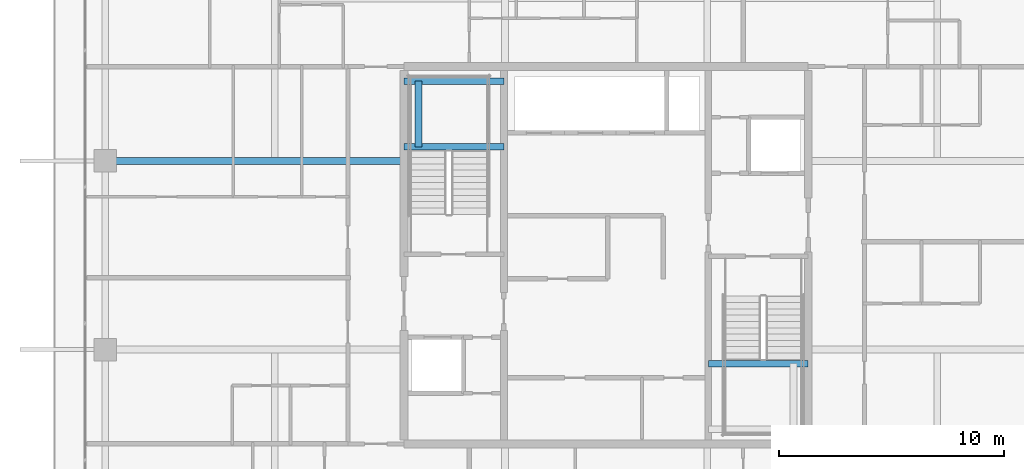
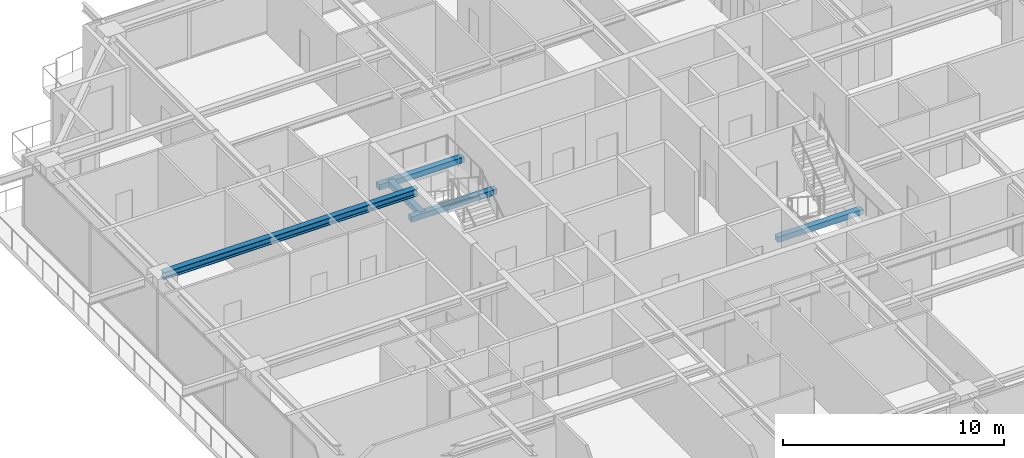
# One storey, part 11 of 40: 5 beams.
"""IFC4 building model written with IfcOpenShell, lengths in metres."""

from ifc_helpers import new_model, si_unit, direction, frame, origin, origin_2d, place, context, subcontext, project, spatial, rectangle, i_section, extrude, source, transform, mapped, material, material_profile, profile_set, type_object, element, save


model = new_model("IFC4")

# Units and contexts
model_context = context("Model", 3, precision=1e-05, world=origin(), true_north=direction((0.0, 1.0)))
body_context = subcontext(model_context, "Body", "Model", "MODEL_VIEW")
ifc_project = project(units=[si_unit("LENGTHUNIT", "METRE"), si_unit("AREAUNIT", "SQUARE_METRE"), si_unit("VOLUMEUNIT", "CUBIC_METRE"), si_unit("PLANEANGLEUNIT", "RADIAN"), si_unit("MASSUNIT", "GRAM", prefix="KILO")], contexts=[model_context])

# Site, building, storey
site_placement = place(None, origin())
site = spatial("IfcSite", under=ifc_project, at=site_placement, CompositionType="ELEMENT")
building_placement = place(site_placement, origin())
building = spatial("IfcBuilding", under=site, at=building_placement, Name="Serunith Strait Residences", CompositionType="ELEMENT")
storey_placement = place(building_placement, frame((0.0, 0.0, 313.699951171875)))
storey = spatial("IfcBuildingStorey", under=building, at=storey_placement, Name="L78", CompositionType="ELEMENT", Elevation=313.699951171875)

# Beams
ifc_material_1 = material(Name="Steel S355J2", Category="steel")
ifc_material_profile_1 = material_profile(ifc_material_1, i_section(OverallWidth=0.300048828125, OverallDepth=0.39990234375, WebThickness=0.013427734375, FlangeThickness=0.02392578125, FilletRadius=0.027099609375, at=origin_2d()), Name="HEB 400")
ifc_profile_set_1 = profile_set([ifc_material_profile_1], Name="Steel S355J2")
beam_type_1 = type_object("IfcBeamType", Name="BM-HEB400", PredefinedType="BEAM", material=ifc_profile_set_1)
shared_shape_1 = source(origin(), body_context, "Body", "SweptSolid", [
    extrude(i_section(OverallWidth=0.300048828125, OverallDepth=0.39990234375, WebThickness=0.013427734375, FlangeThickness=0.02392578125, FilletRadius=0.027099609375, at=origin_2d()), origin(), (0.0, 0.0, 1.0), 13.2998046875),
])
beam_1_placement = place(storey_placement, frame((23.39990234375, 29.39990234375, 3.587158203125), z_axis=(-1.0, 0.0, 0.0), x_axis=(0.0, -1.0, 0.0)))
element("IfcBeam", 1, at=beam_1_placement, inside=storey, type_object=beam_type_1, Name="L78 Primary Floor Girder TC-W3", PredefinedType="BEAM", context=body_context, shape_type="MappedRepresentation", body=[
    mapped(shared_shape_1, transform((0.0, 0.0, 0.0), scale=1.0)),
])
ifc_material_2 = material(Name="Concrete C60/75", Category="concrete")
ifc_material_profile_2 = material_profile(ifc_material_2, rectangle(XDim=0.300048828125, YDim=0.300048828125, at=origin_2d()), Name="RC 300x300")
ifc_profile_set_2 = profile_set([ifc_material_profile_2], Name="Concrete C60/75")
beam_type_2 = type_object("IfcBeamType", Name="BM-LAND-300x300", PredefinedType="BEAM", material=ifc_profile_set_2)
shared_shape_2 = source(origin(), body_context, "Body", "SweptSolid", [
    extrude(rectangle(XDim=0.300048828125, YDim=0.300048828125, at=origin_2d()), origin(), (0.0, 0.0, 1.0), 4.4501953125),
])
for number, where, z_axis, x_axis, name in (
    (2, (23.39990234375, 30.030029296875, 1.675048828125), (1.0, 0.0, 0.0), (0.0, 1.0, 0.0), "L78 ST-1 Landing Support Beam 1"),
    (3, (23.39990234375, 32.949951171875, 1.675048828125), (1.0, 0.0, 0.0), (0.0, 1.0, 0.0), "L78 ST-1 Landing Support Beam 2"),
):
    element("IfcBeam", number, at=place(storey_placement, frame(where, z_axis=z_axis, x_axis=x_axis)), inside=storey, type_object=beam_type_2, Name=name, PredefinedType="BEAM", context=body_context, shape_type="MappedRepresentation", body=[
        mapped(shared_shape_2, transform((0.0, 0.0, 0.0), scale=1.0)),
    ])
shared_shape_3 = source(origin(), body_context, "Body", "SweptSolid", [
    extrude(rectangle(XDim=0.300048828125, YDim=0.300048828125, at=origin_2d()), origin(), (0.0, 0.0, 1.0), 2.919921875),
])
beam_2_placement = place(storey_placement, frame((24.050048828125, 30.030029296875, 1.675048828125), z_axis=(0.0, 1.0, 0.0), x_axis=(-1.0, 0.0, 0.0)))
element("IfcBeam", 4, at=beam_2_placement, inside=storey, type_object=beam_type_2, Name="L78 ST-1 Landing Transverse Tie Beam", PredefinedType="BEAM", context=body_context, shape_type="MappedRepresentation", body=[
    mapped(shared_shape_3, transform((0.0, 0.0, 0.0), scale=1.0)),
])
shared_shape_4 = source(origin(), body_context, "Body", "SweptSolid", [
    extrude(rectangle(XDim=0.300048828125, YDim=0.300048828125, at=origin_2d()), origin(), (0.0, 0.0, 1.0), 4.449951171875),
])
beam_3_placement = place(storey_placement, frame((36.949951171875, 20.3701171875, 1.675048828125), z_axis=(1.0, 0.0, 0.0), x_axis=(0.0, 1.0, 0.0)))
element("IfcBeam", 5, at=beam_3_placement, inside=storey, type_object=beam_type_2, Name="L78 ST-2 Landing Support Beam 2", PredefinedType="BEAM", context=body_context, shape_type="MappedRepresentation", body=[
    mapped(shared_shape_4, transform((0.0, 0.0, 0.0), scale=1.0)),
])

save(model, "model.ifc")
